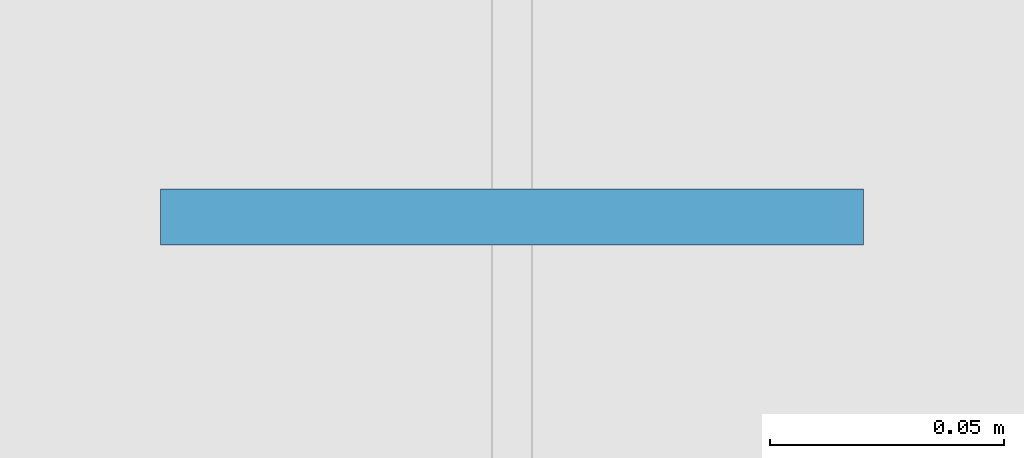
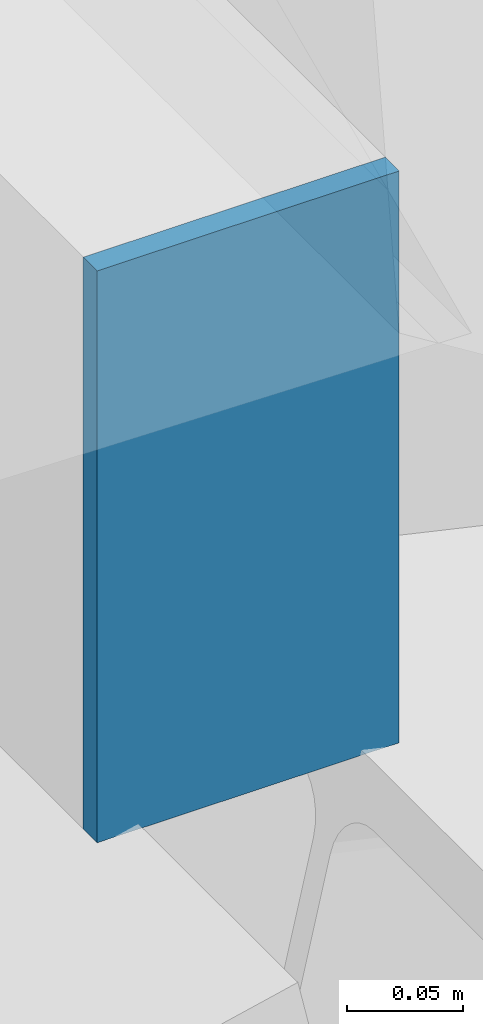
# One storey, part 22 of 35: 1 plate.
"""IFC4 building model written with IfcOpenShell, lengths in metres."""

from ifc_helpers import new_model, si_unit, direction, frame, origin, origin_2d, place, context, subcontext, project, spatial, rectangle, extrude, material, layer, layer_set, type_object, element, save


model = new_model("IFC4")

# Units and contexts
model_context = context("Model", 3, precision=1e-05, world=origin(), true_north=direction((0.0, 1.0)))
body_context = subcontext(model_context, "Body", "Model", "MODEL_VIEW")
ifc_project = project(units=[si_unit("LENGTHUNIT", "METRE"), si_unit("AREAUNIT", "SQUARE_METRE"), si_unit("VOLUMEUNIT", "CUBIC_METRE"), si_unit("PLANEANGLEUNIT", "RADIAN"), si_unit("MASSUNIT", "GRAM", prefix="KILO")], contexts=[model_context])

# Site, building, storey
site_placement = place(None, origin())
site = spatial("IfcSite", under=ifc_project, at=site_placement, CompositionType="ELEMENT")
building_placement = place(site_placement, origin())
building = spatial("IfcBuilding", under=site, at=building_placement, Name="Vellmiral Cinema and Media Centre", CompositionType="ELEMENT")
storey_placement = place(building_placement, frame((0.0, 0.0, 15.60009765625)))
storey = spatial("IfcBuildingStorey", under=building, at=storey_placement, Name="L03", CompositionType="ELEMENT", Elevation=15.60009765625)

# Plate
ifc_material = material(Name="Steel S355", Category="steel")
ifc_layer = layer(ifc_material, 0.011962890625, Name="Steel S355")
ifc_layer_set = layer_set([ifc_layer], Name="Steel S355")
plate_type = type_object("IfcPlateType", Name="PLT-CAP-300", PredefinedType="SHEET", material=ifc_layer_set)
plate_placement = place(storey_placement, frame((55.199951171875, 62.194580078125, 5.7939453125), z_axis=(0.0, 0.0, 1.0), x_axis=(1.0, 0.0, 0.0)))
element("IfcPlate", 1, at=plate_placement, inside=storey, type_object=plate_type, Name="Roof Purlin VR-08W.3.1 End Cap Plate", PredefinedType="SHEET", context=body_context, shape_type="SweptSolid", body=[
    extrude(rectangle(XDim=0.14990234375, YDim=0.011962890625, at=origin_2d()), origin(), (0.0, 0.0, 1.0), 0.300048828125),
])

save(model, "model.ifc")
